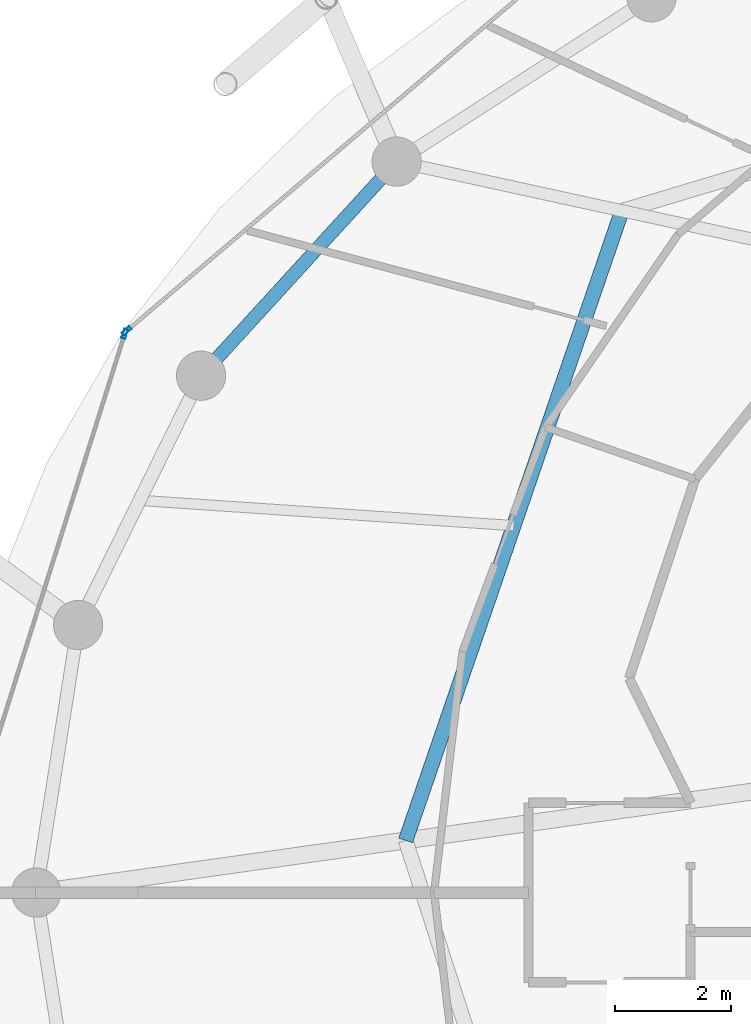
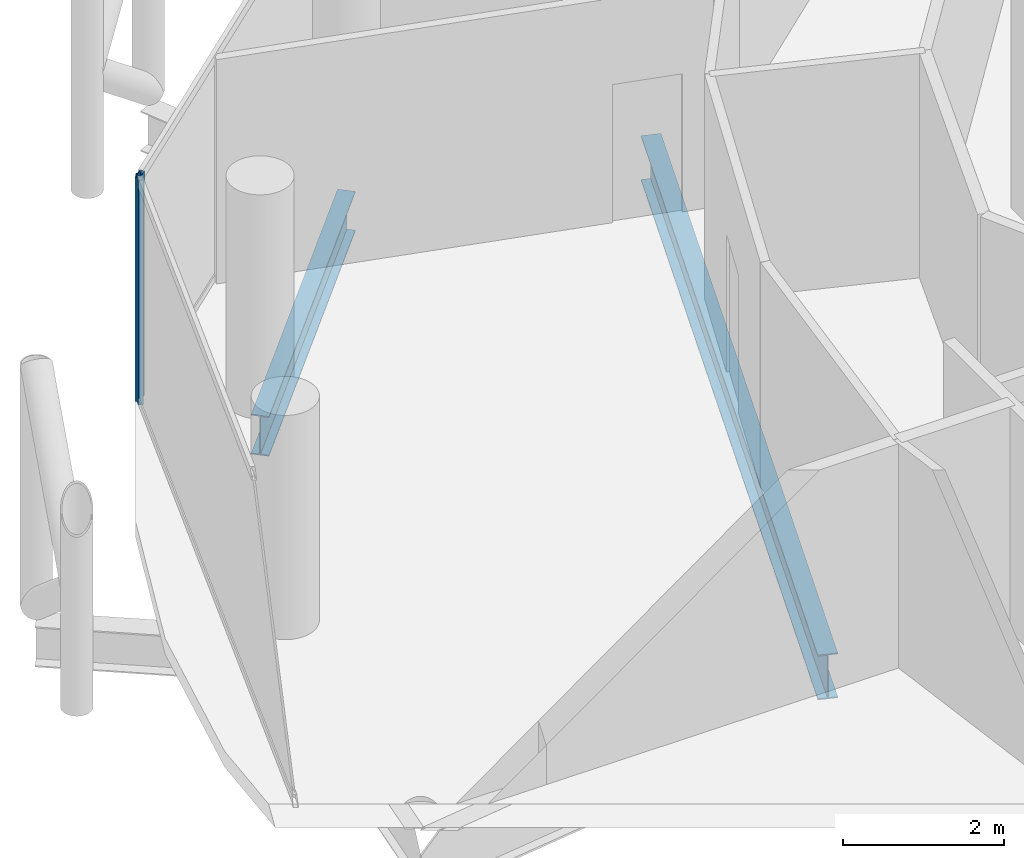
# One storey, part 9 of 28: 2 beams, 2 members, 2 elements without a shape of their own.
"""IFC4 building model written with IfcOpenShell, lengths in metres."""

from ifc_helpers import new_model, si_unit, direction, frame, origin, origin_2d, place, context, subcontext, project, spatial, hollow_rectangle, i_section, extrude, material, layer, layer_set, material_profile, profile_set, type_object, element, aggregate, save


model = new_model("IFC4")

# Units and contexts
model_context = context("Model", 3, precision=1e-05, world=origin(), true_north=direction((0.0, 1.0)))
body_context = subcontext(model_context, "Body", "Model", "MODEL_VIEW")
ifc_project = project(units=[si_unit("LENGTHUNIT", "METRE"), si_unit("AREAUNIT", "SQUARE_METRE"), si_unit("VOLUMEUNIT", "CUBIC_METRE"), si_unit("PLANEANGLEUNIT", "RADIAN"), si_unit("MASSUNIT", "GRAM", prefix="KILO")], contexts=[model_context])

# Site, building, storey
site_placement = place(None, origin())
site = spatial("IfcSite", under=ifc_project, at=site_placement, CompositionType="ELEMENT")
building_placement = place(site_placement, origin())
building = spatial("IfcBuilding", under=site, at=building_placement, Name="Nuhasar Tower", CompositionType="ELEMENT")
storey_placement = place(building_placement, frame((0.0, 0.0, 222.75)))
storey = spatial("IfcBuildingStorey", under=building, at=storey_placement, Name="L54", CompositionType="ELEMENT", Elevation=222.75)

# Beams
ifc_material_1 = material(Name="Steel S355", Category="steel")
ifc_material_profile_1 = material_profile(ifc_material_1, i_section(OverallWidth=0.25390625, OverallDepth=0.68408203125, WebThickness=0.012451171875, FlangeThickness=0.018798828125, at=origin_2d()), Name="W27X94")
ifc_profile_set_1 = profile_set([ifc_material_profile_1], Name="Steel S355")
beam_type_1 = type_object("IfcBeamType", Name="BM-INRING-W27X94", PredefinedType="BEAM", material=ifc_profile_set_1)
beam_1_placement = place(storey_placement, frame((27.864013671875, 38.572998046875, -0.58203125), z_axis=(-0.324809117642, -0.945779592239, 0.0), x_axis=(0.945779592239, -0.324809117642, 0.0)))
element("IfcBeam", 1, at=beam_1_placement, inside=storey, type_object=beam_type_1, Name="L54 Inner Header Beam 07", PredefinedType="BEAM", context=body_context, shape_type="SweptSolid", body=[
    extrude(i_section(OverallWidth=0.25390625, OverallDepth=0.68408203125, WebThickness=0.012451171875, FlangeThickness=0.018798828125, at=origin_2d()), origin(), (0.0, 0.0, 1.0), 11.496337890625),
])
ifc_material_profile_2 = material_profile(ifc_material_1, i_section(OverallWidth=0.22802734375, OverallDepth=0.60791015625, WebThickness=0.01123046875, FlangeThickness=0.017333984375, at=origin_2d()), Name="W24X76")
ifc_profile_set_2 = profile_set([ifc_material_profile_2], Name="Steel S355")
beam_type_2 = type_object("IfcBeamType", Name="BM-RING-W24X76", PredefinedType="SPANDREL", material=ifc_profile_set_2)
beam_2_placement = place(storey_placement, frame((23.97412109375, 39.422119140625, -0.5439453125), z_axis=(-0.674449692975, -0.738320805373, 0.0), x_axis=(0.738320805373, -0.674449692975, 0.0)))
element("IfcBeam", 2, at=beam_2_placement, inside=storey, type_object=beam_type_2, Name="L54 Perimeter Ring Spandrel 10", PredefinedType="SPANDREL", context=body_context, shape_type="SweptSolid", body=[
    extrude(i_section(OverallWidth=0.22802734375, OverallDepth=0.60791015625, WebThickness=0.01123046875, FlangeThickness=0.017333984375, at=origin_2d()), origin(), (0.0, 0.0, 1.0), 5.00732421875),
])

# Curtain wall, member
ifc_material_2 = material(Name="Aluminium 6063-T6", Category="aluminium")
ifc_layer = layer(ifc_material_2, 0.18994140625)
ifc_layer_set = layer_set([ifc_layer], Name="Aluminium 6063-T6")
curtain_wall_type = type_object("IfcCurtainWallType", Name="CW-Z3-RES", PredefinedType="NOTDEFINED", material=ifc_layer_set)
curtain_wall_1_placement = place(storey_placement, origin())
curtain_wall_1 = element("IfcCurtainWall", 3, at=curtain_wall_1_placement, inside=storey, type_object=curtain_wall_type, Name="L54 Unitised Curtain Wall 05", PredefinedType="NOTDEFINED")
ifc_material_profile_3 = material_profile(ifc_material_2, hollow_rectangle(XDim=0.06494140625, YDim=0.169921875, WallThickness=0.0048828125, at=origin_2d()), Name="CWM-4")
ifc_profile_set_3 = profile_set([ifc_material_profile_3], Name="Aluminium 6063-T6")
member_type = type_object("IfcMemberType", Name="CW-MUL-S4", PredefinedType="MULLION", material=ifc_profile_set_3)
member_1_placement = place(storey_placement, frame((19.313720703125, 36.5009765625, 0.0), z_axis=(0.0, 0.0, 1.0), x_axis=(0.64789521578, -0.761729472562, 0.0)))
member_1 = element("IfcMember", 4, at=member_1_placement, type_object=member_type, Name="CW-Z3 mullion 2", PredefinedType="MULLION", context=body_context, shape_type="SweptSolid", body=[
    extrude(hollow_rectangle(XDim=0.06494140625, YDim=0.169921875, WallThickness=0.0048828125, at=origin_2d()), origin(), (0.0, 0.0, 1.0), 3.409912109375),
])
aggregate(curtain_wall_1, [member_1])

curtain_wall_2_placement = place(storey_placement, origin())
curtain_wall_2 = element("IfcCurtainWall", 5, at=curtain_wall_2_placement, inside=storey, type_object=curtain_wall_type, Name="L54 Unitised Curtain Wall 06", PredefinedType="NOTDEFINED")
member_2_placement = place(storey_placement, frame((19.279296875, 36.448974609375, 0.0), z_axis=(0.0, 0.0, 1.0), x_axis=(0.95380429279, -0.30042864553, 0.0)))
member_2 = element("IfcMember", 6, at=member_2_placement, type_object=member_type, Name="CW-Z3 mullion 1", PredefinedType="MULLION", context=body_context, shape_type="SweptSolid", body=[
    extrude(hollow_rectangle(XDim=0.06494140625, YDim=0.169921875, WallThickness=0.0048828125, at=origin_2d()), origin(), (0.0, 0.0, 1.0), 3.409912109375),
])
aggregate(curtain_wall_2, [member_2])

save(model, "model.ifc")
